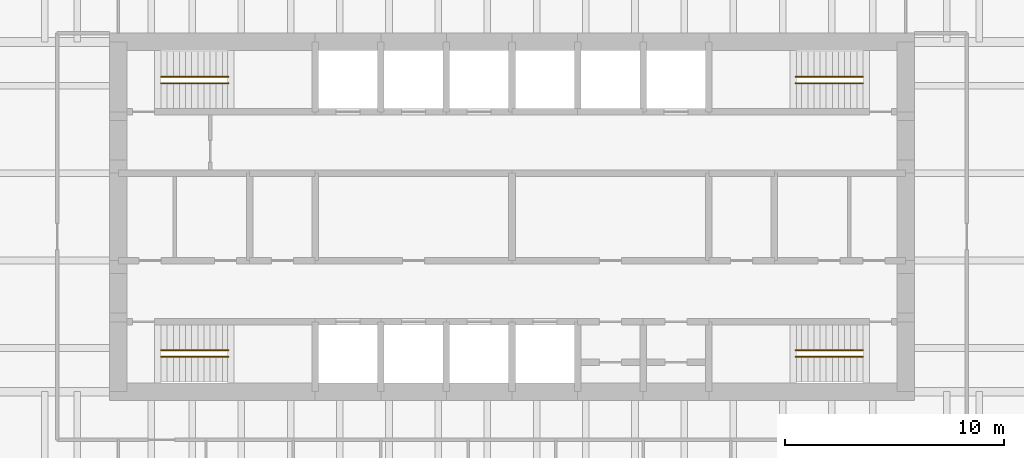
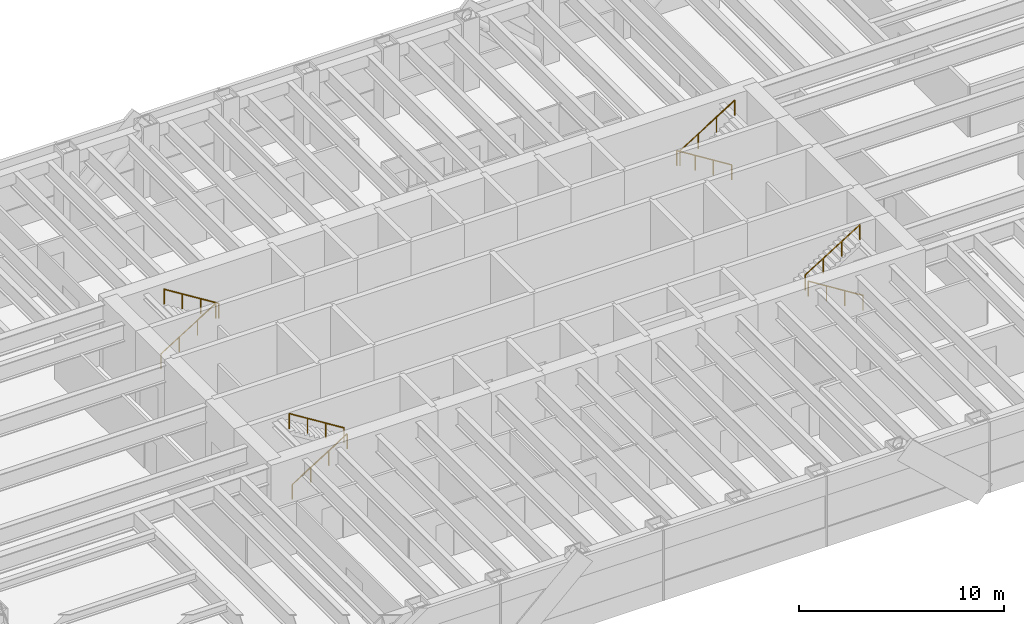
# One storey, part 12 of 12: 8 railings.
"""IFC4 building model written with IfcOpenShell, lengths in metres."""

import ifcopenshell
import ifcopenshell.guid

model = None  # the IFC model being written
_history = None  # IfcOwnerHistory: only IFC2X3 demands one
_inside = {}  # id of a spatial element -> (the spatial element, [elements in it])
_under = {}  # id of a project, library or spatial element -> (it, [spatial elements below it])
_declared = {}  # id of a project -> (the project, [libraries it declares])
_typed = {}  # id of a type object -> (the type object, [elements of that type])
_made_of = {}  # id of a material, layer set ... -> (it, [elements and type objects made of it])


def new_model(schema):
    """Start an empty IFC model of exactly this schema.

    Asked for "IFC4X3", IfcOpenShell would pick the latest addendum, in which some entities
    have other attributes; the version numbers below select the first issue.
    IFC2X3 requires an IfcOwnerHistory on every rooted entity: one is made here for all.
    """
    global model, _history
    if schema == "IFC4X3":
        model = ifcopenshell.file(schema_version=(4, 3, 0, 0))
    else:
        model = ifcopenshell.file(schema=schema)
    _inside.clear()
    _under.clear()
    _declared.clear()
    _typed.clear()
    _made_of.clear()
    _history = None
    if model.schema == "IFC2X3":
        org = make("IfcOrganization", Name="unknown")
        user = make(
            "IfcPersonAndOrganization",
            ThePerson=make("IfcPerson", FamilyName="unknown"),
            TheOrganization=org,
        )
        app = make(
            "IfcApplication",
            ApplicationDeveloper=org,
            Version="unknown",
            ApplicationFullName="unknown",
            ApplicationIdentifier="unknown",
        )
        _history = make(
            "IfcOwnerHistory",
            OwningUser=user,
            OwningApplication=app,
            ChangeAction="ADDED",
            CreationDate=0,
        )
    return model


def make(cls, **values):
    """One entity of the class cls with the attributes given. An attribute that is None is left unset."""
    return model.create_entity(
        cls, **{name: value for name, value in values.items() if value is not None}
    )


def rooted(cls, **values):
    """An entity with a GlobalId (a new one), such as an element, a storey or a relation."""
    return make(cls, GlobalId=ifcopenshell.guid.new(), OwnerHistory=_history, **values)


def si_unit(unit_type, name, prefix=None):
    """IfcSIUnit, for example si_unit("LENGTHUNIT", "METRE", prefix="MILLI")."""
    return make("IfcSIUnit", UnitType=unit_type, Prefix=prefix, Name=name)


def assignment(units):
    """IfcUnitAssignment: the units of a project."""
    return None if units is None else make("IfcUnitAssignment", Units=units)


def point(xyz):
    """IfcCartesianPoint."""
    return None if xyz is None else make("IfcCartesianPoint", Coordinates=xyz)


def direction(xyz):
    """IfcDirection."""
    return None if xyz is None else make("IfcDirection", DirectionRatios=xyz)


def frame(location, z_axis=None, x_axis=None):
    """IfcAxis2Placement3D, a coordinate frame: its origin and axes. An axis left out is left unset."""
    return make(
        "IfcAxis2Placement3D",
        Location=point(location),
        Axis=direction(z_axis),
        RefDirection=direction(x_axis),
    )


def frame_2d(location, x_axis=None):
    """IfcAxis2Placement2D, a coordinate frame in the plane: its origin and x axis."""
    return make(
        "IfcAxis2Placement2D", Location=point(location), RefDirection=direction(x_axis)
    )


def origin():
    """The frame at (0, 0, 0) with its axes left unset."""
    return frame((0.0, 0.0, 0.0))


def origin_2d():
    """The frame at (0, 0) in the plane with its x axis left unset."""
    return frame_2d((0.0, 0.0))


def place(relative_to, where):
    """IfcLocalPlacement: puts the frame where relative to a parent placement (None: the world)."""
    return make(
        "IfcLocalPlacement", PlacementRelTo=relative_to, RelativePlacement=where
    )


def context(
    kind, dimensions, precision=None, world=None, true_north=None, identifier=None
):
    """IfcGeometricRepresentationContext, for example the 3D "Model" context."""
    return make(
        "IfcGeometricRepresentationContext",
        ContextIdentifier=identifier,
        ContextType=kind,
        CoordinateSpaceDimension=dimensions,
        Precision=precision,
        WorldCoordinateSystem=world,
        TrueNorth=true_north,
    )


def subcontext(parent, identifier, kind, view, scale=None):
    """IfcGeometricRepresentationSubContext, for example "Body" below "Model"."""
    return make(
        "IfcGeometricRepresentationSubContext",
        ContextIdentifier=identifier,
        ContextType=kind,
        ParentContext=parent,
        TargetScale=scale,
        TargetView=view,
    )


def project(units=None, contexts=None):
    """IfcProject with its units and contexts."""
    return rooted(
        "IfcProject",
        Name="project",
        RepresentationContexts=contexts,
        UnitsInContext=assignment(units),
    )


def spatial(cls, under=None, at=None, **own):
    """A site, building, storey or space (cls), placed at a placement, below another one or the project."""
    s = rooted(cls, ObjectPlacement=at, **own)
    if under is not None:
        _under.setdefault(under.id(), (under, []))[1].append(s)
    return s


def profile(cls, at=None, kind="AREA", **sizes):
    """A parametric profile (cls). Its sizes go by their IFC names, for example OverallWidth=200.0."""
    return make(cls, ProfileType=kind, Position=at, **sizes)


def circle(**sizes):
    """IfcCircleProfileDef."""
    return profile("IfcCircleProfileDef", **sizes)


def extrude(swept, where, along, depth):
    """IfcExtrudedAreaSolid: the profile swept, set in the frame where, extruded along a direction by depth."""
    return make(
        "IfcExtrudedAreaSolid",
        SweptArea=swept,
        Position=where,
        ExtrudedDirection=direction(along),
        Depth=depth,
    )


def shape(context_of_items, identifier, shape_type, items):
    """IfcShapeRepresentation: the items that make up one representation, for example the "Body"."""
    return make(
        "IfcShapeRepresentation",
        ContextOfItems=context_of_items,
        RepresentationIdentifier=identifier,
        RepresentationType=shape_type,
        Items=items,
    )


def material(Name=None, Category=None):
    """IfcMaterial."""
    return make("IfcMaterial", Name=Name, Category=Category)


def made_of(thing, what):
    """Note that an element or type object is made of a material, layer set ...; save() writes the relation."""
    if what is not None:
        _made_of.setdefault(what.id(), (what, []))[1].append(thing)
    return thing


def type_object(cls, material=None, **own):
    """A type object (cls), such as IfcWallType, which elements share."""
    return made_of(rooted(cls, **own), material)


def element(
    cls,
    number,
    at=None,
    inside=None,
    cuts=None,
    type_object=None,
    material=None,
    context=None,
    identifier="Body",
    shape_type=None,
    held_by="IfcProductDefinitionShape",
    body=None,
    shapes=None,
    **own,
):
    """One element of the class cls, such as IfcWall. Its Tag is "e" and its number.

    at: its placement. inside: the storey or other place that contains it. cuts: it is an
    opening in that element (IfcRelVoidsElement). A single representation is given by context,
    identifier, shape_type and body (its items); several are given by shapes. held_by: the class
    of the entity that holds the representations. save() writes the other relations.
    """
    e = rooted(cls, Tag="e%d" % number, ObjectPlacement=at, **own)
    if body is not None:
        shapes = [shape(context, identifier, shape_type, body)]
    if shapes is not None:
        e.Representation = make(held_by, Representations=shapes)
    if inside is not None:
        _inside.setdefault(inside.id(), (inside, []))[1].append(e)
    if cuts is not None:
        rooted(
            "IfcRelVoidsElement", RelatingBuildingElement=cuts, RelatedOpeningElement=e
        )
    if type_object is not None:
        _typed.setdefault(type_object.id(), (type_object, []))[1].append(e)
    return made_of(e, material)


def aggregate(whole, parts):
    """IfcRelAggregates: a whole, such as a stair, and the parts it consists of."""
    return rooted("IfcRelAggregates", RelatingObject=whole, RelatedObjects=parts)


def save(model, path):
    """Write the relations noted so far, then the file.

    IfcRelAggregates (storeys below a building ...), IfcRelContainedInSpatialStructure (elements
    in a storey), IfcRelDefinesByType, IfcRelAssociatesMaterial and IfcRelDeclares: one each for
    every whole, place, type object, material and project.
    """
    for whole, parts in _under.values():
        aggregate(whole, parts)
    for where, things in _inside.values():
        rooted(
            "IfcRelContainedInSpatialStructure",
            RelatedElements=things,
            RelatingStructure=where,
        )
    for kind, things in _typed.values():
        rooted("IfcRelDefinesByType", RelatedObjects=things, RelatingType=kind)
    for what, things in _made_of.values():
        rooted("IfcRelAssociatesMaterial", RelatedObjects=things, RelatingMaterial=what)
    for by, libraries in _declared.values():
        rooted("IfcRelDeclares", RelatingContext=by, RelatedDefinitions=libraries)
    model.write(path)


model = new_model("IFC4")

# Units and contexts
model_context = context("Model", 3, precision=1e-05, world=origin(), true_north=direction((0.0, 1.0)))
body_context = subcontext(model_context, "Body", "Model", "MODEL_VIEW")
ifc_project = project(units=[si_unit("LENGTHUNIT", "METRE"), si_unit("AREAUNIT", "SQUARE_METRE"), si_unit("VOLUMEUNIT", "CUBIC_METRE"), si_unit("PLANEANGLEUNIT", "RADIAN"), si_unit("MASSUNIT", "GRAM", prefix="KILO")], contexts=[model_context])

# Site, building, storey
site_placement = place(None, origin())
site = spatial("IfcSite", under=ifc_project, at=site_placement, CompositionType="ELEMENT")
building_placement = place(site_placement, origin())
building = spatial("IfcBuilding", under=site, at=building_placement, Name="Rheinbord Bourse Tower", CompositionType="ELEMENT")
storey_placement = place(building_placement, frame((0.0, 0.0, 261.39990234375)))
storey = spatial("IfcBuildingStorey", under=building, at=storey_placement, Name="L59", CompositionType="ELEMENT", Elevation=261.39990234375)

# Railings
ifc_material = material(Name="Steel handrail", Category="steel")
railing_type = type_object("IfcRailingType", Name="HANDRAIL 900", PredefinedType="HANDRAIL", material=ifc_material)
railing_1_placement = place(storey_placement, frame((19.949951171875, 17.60009765625, 0.175048828125)))
element("IfcRailing", 1, at=railing_1_placement, inside=storey, type_object=railing_type, Name="Handrail", PredefinedType="HANDRAIL", context=body_context, shape_type="SweptSolid", body=[
    extrude(circle(Radius=0.02392578125, at=origin_2d()), frame((0.0, 0.0, 0.8759765625), z_axis=(0.847998304005, 0.0, 0.529998940003), x_axis=(0.0, 1.0, 0.0)), (0.0, 0.0, 1.0), 3.632080078125),
    extrude(circle(Radius=0.02099609375, at=origin_2d()), origin(), (0.0, 0.0, 1.0), 0.851806640625),
    extrude(circle(Radius=0.02099609375, at=origin_2d()), frame((1.026611328125, 0.0, 0.6416015625)), (0.0, 0.0, 1.0), 0.851806640625),
    extrude(circle(Radius=0.02099609375, at=origin_2d()), frame((2.053466796875, 0.0, 1.283447265625)), (0.0, 0.0, 1.0), 0.851806640625),
    extrude(circle(Radius=0.02099609375, at=origin_2d()), frame((3.080078125, 0.0, 1.925048828125)), (0.0, 0.0, 1.0), 0.851806640625),
])
railing_2_placement = place(storey_placement, frame((23.030029296875, 17.89990234375, 2.275146484375)))
element("IfcRailing", 2, at=railing_2_placement, inside=storey, type_object=railing_type, Name="Handrail", PredefinedType="HANDRAIL", context=body_context, shape_type="SweptSolid", body=[
    extrude(circle(Radius=0.02392578125, at=origin_2d()), frame((0.0, 0.0, 0.8759765625), z_axis=(-0.847998304005, 0.0, 0.529998940003), x_axis=(0.0, -1.0, 0.0)), (0.0, 0.0, 1.0), 3.632080078125),
    extrude(circle(Radius=0.02099609375, at=origin_2d()), origin(), (0.0, 0.0, 1.0), 0.851806640625),
    extrude(circle(Radius=0.02099609375, at=origin_2d()), frame((-1.026611328125, 0.0, 0.6416015625)), (0.0, 0.0, 1.0), 0.851806640625),
    extrude(circle(Radius=0.02099609375, at=origin_2d()), frame((-2.053466796875, 0.0, 1.283447265625)), (0.0, 0.0, 1.0), 0.851806640625),
    extrude(circle(Radius=0.02099609375, at=origin_2d()), frame((-3.080078125, 0.0, 1.925048828125)), (0.0, 0.0, 1.0), 0.851806640625),
])
railing_3_placement = place(storey_placement, frame((19.949951171875, 30.39990234375, 0.175048828125)))
element("IfcRailing", 3, at=railing_3_placement, inside=storey, type_object=railing_type, Name="Handrail", PredefinedType="HANDRAIL", context=body_context, shape_type="SweptSolid", body=[
    extrude(circle(Radius=0.02392578125, at=origin_2d()), frame((0.0, 0.0, 0.8759765625), z_axis=(0.847998304005, 0.0, 0.529998940003), x_axis=(0.0, 1.0, 0.0)), (0.0, 0.0, 1.0), 3.632080078125),
    extrude(circle(Radius=0.02099609375, at=origin_2d()), origin(), (0.0, 0.0, 1.0), 0.851806640625),
    extrude(circle(Radius=0.02099609375, at=origin_2d()), frame((1.026611328125, 0.0, 0.6416015625)), (0.0, 0.0, 1.0), 0.851806640625),
    extrude(circle(Radius=0.02099609375, at=origin_2d()), frame((2.053466796875, 0.0, 1.283447265625)), (0.0, 0.0, 1.0), 0.851806640625),
    extrude(circle(Radius=0.02099609375, at=origin_2d()), frame((3.080078125, 0.0, 1.925048828125)), (0.0, 0.0, 1.0), 0.851806640625),
])
for number, where, name in (
    (4, (23.030029296875, 30.10009765625, 2.275146484375), "Handrail"),
    (5, (52.050048828125, 17.60009765625, 0.175048828125), "Handrail"),
):
    element("IfcRailing", number, at=place(storey_placement, frame(where)), inside=storey, type_object=railing_type, Name=name, PredefinedType="HANDRAIL", context=body_context, shape_type="SweptSolid", body=[
        extrude(circle(Radius=0.02392578125, at=origin_2d()), frame((0.0, 0.0, 0.8759765625), z_axis=(-0.847998304005, 0.0, 0.529998940003), x_axis=(0.0, -1.0, 0.0)), (0.0, 0.0, 1.0), 3.632080078125),
        extrude(circle(Radius=0.02099609375, at=origin_2d()), origin(), (0.0, 0.0, 1.0), 0.851806640625),
        extrude(circle(Radius=0.02099609375, at=origin_2d()), frame((-1.026611328125, 0.0, 0.6416015625)), (0.0, 0.0, 1.0), 0.851806640625),
        extrude(circle(Radius=0.02099609375, at=origin_2d()), frame((-2.053466796875, 0.0, 1.283447265625)), (0.0, 0.0, 1.0), 0.851806640625),
        extrude(circle(Radius=0.02099609375, at=origin_2d()), frame((-3.080078125, 0.0, 1.925048828125)), (0.0, 0.0, 1.0), 0.851806640625),
    ])
railing_4_placement = place(storey_placement, frame((48.969970703125, 17.89990234375, 2.275146484375)))
element("IfcRailing", 6, at=railing_4_placement, inside=storey, type_object=railing_type, Name="Handrail", PredefinedType="HANDRAIL", context=body_context, shape_type="SweptSolid", body=[
    extrude(circle(Radius=0.02392578125, at=origin_2d()), frame((0.0, 0.0, 0.8759765625), z_axis=(0.847998304005, 0.0, 0.529998940003), x_axis=(0.0, 1.0, 0.0)), (0.0, 0.0, 1.0), 3.632080078125),
    extrude(circle(Radius=0.02099609375, at=origin_2d()), origin(), (0.0, 0.0, 1.0), 0.851806640625),
    extrude(circle(Radius=0.02099609375, at=origin_2d()), frame((1.026611328125, 0.0, 0.6416015625)), (0.0, 0.0, 1.0), 0.851806640625),
    extrude(circle(Radius=0.02099609375, at=origin_2d()), frame((2.053466796875, 0.0, 1.283447265625)), (0.0, 0.0, 1.0), 0.851806640625),
    extrude(circle(Radius=0.02099609375, at=origin_2d()), frame((3.080078125, 0.0, 1.925048828125)), (0.0, 0.0, 1.0), 0.851806640625),
])
railing_5_placement = place(storey_placement, frame((52.050048828125, 30.39990234375, 0.175048828125)))
element("IfcRailing", 7, at=railing_5_placement, inside=storey, type_object=railing_type, Name="Handrail", PredefinedType="HANDRAIL", context=body_context, shape_type="SweptSolid", body=[
    extrude(circle(Radius=0.02392578125, at=origin_2d()), frame((0.0, 0.0, 0.8759765625), z_axis=(-0.847998304005, 0.0, 0.529998940003), x_axis=(0.0, -1.0, 0.0)), (0.0, 0.0, 1.0), 3.632080078125),
    extrude(circle(Radius=0.02099609375, at=origin_2d()), origin(), (0.0, 0.0, 1.0), 0.851806640625),
    extrude(circle(Radius=0.02099609375, at=origin_2d()), frame((-1.026611328125, 0.0, 0.6416015625)), (0.0, 0.0, 1.0), 0.851806640625),
    extrude(circle(Radius=0.02099609375, at=origin_2d()), frame((-2.053466796875, 0.0, 1.283447265625)), (0.0, 0.0, 1.0), 0.851806640625),
    extrude(circle(Radius=0.02099609375, at=origin_2d()), frame((-3.080078125, 0.0, 1.925048828125)), (0.0, 0.0, 1.0), 0.851806640625),
])
railing_6_placement = place(storey_placement, frame((48.969970703125, 30.10009765625, 2.275146484375)))
element("IfcRailing", 8, at=railing_6_placement, inside=storey, type_object=railing_type, Name="Handrail", PredefinedType="HANDRAIL", context=body_context, shape_type="SweptSolid", body=[
    extrude(circle(Radius=0.02392578125, at=origin_2d()), frame((0.0, 0.0, 0.8759765625), z_axis=(0.847998304005, 0.0, 0.529998940003), x_axis=(0.0, 1.0, 0.0)), (0.0, 0.0, 1.0), 3.632080078125),
    extrude(circle(Radius=0.02099609375, at=origin_2d()), origin(), (0.0, 0.0, 1.0), 0.851806640625),
    extrude(circle(Radius=0.02099609375, at=origin_2d()), frame((1.026611328125, 0.0, 0.6416015625)), (0.0, 0.0, 1.0), 0.851806640625),
    extrude(circle(Radius=0.02099609375, at=origin_2d()), frame((2.053466796875, 0.0, 1.283447265625)), (0.0, 0.0, 1.0), 0.851806640625),
    extrude(circle(Radius=0.02099609375, at=origin_2d()), frame((3.080078125, 0.0, 1.925048828125)), (0.0, 0.0, 1.0), 0.851806640625),
])

save(model, "model.ifc")
